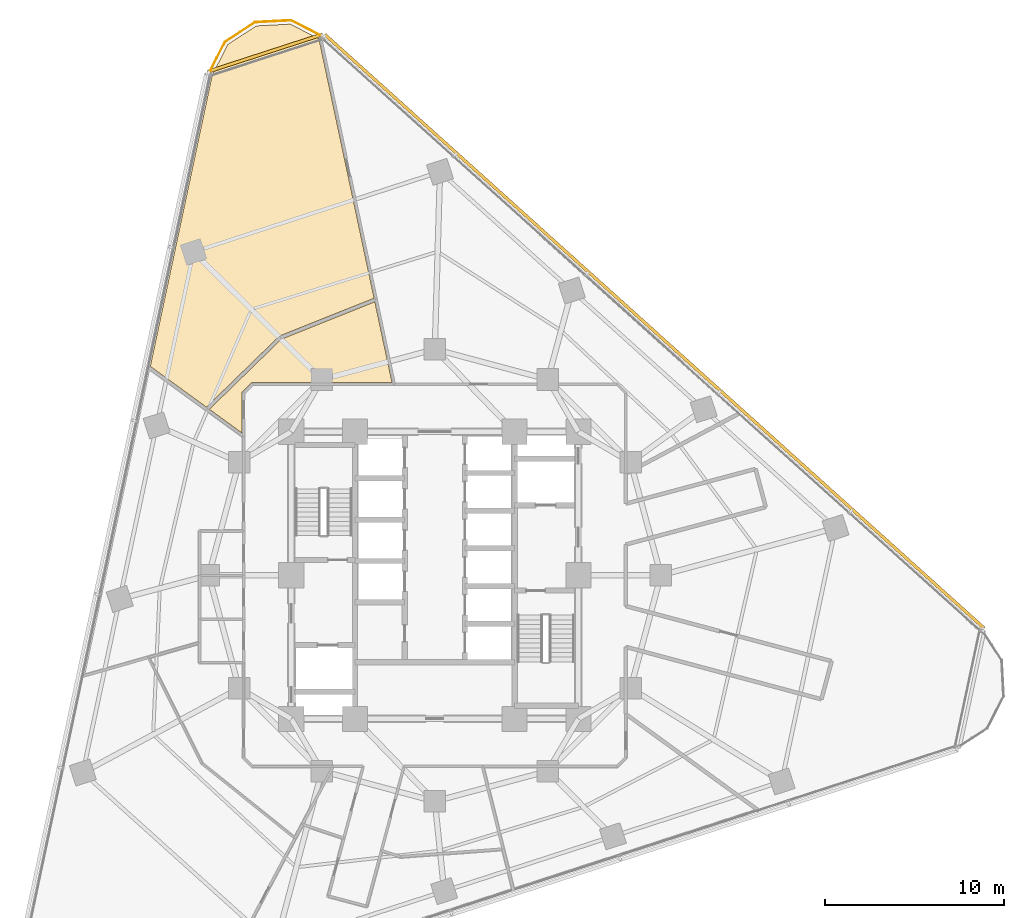
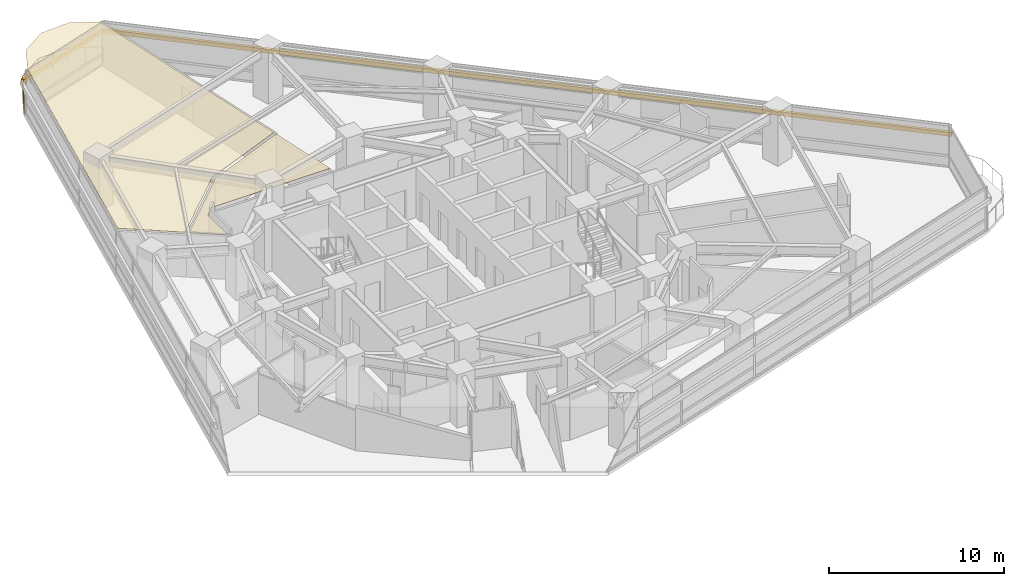
# One storey, part 13 of 13: 2 coverings, 2 shading devices, 1 railing.
"""IFC4 building model written with IfcOpenShell, lengths in metres."""

from ifc_helpers import new_model, si_unit, direction, frame, origin, origin_2d, place, context, subcontext, project, spatial, polyline, rectangle, circle, outline, extrude, material, layer, layer_set, type_object, element, save


model = new_model("IFC4")

# Units and contexts
model_context = context("Model", 3, precision=1e-05, world=origin(), true_north=direction((0.0, 1.0)))
body_context = subcontext(model_context, "Body", "Model", "MODEL_VIEW")
ifc_project = project(units=[si_unit("LENGTHUNIT", "METRE"), si_unit("AREAUNIT", "SQUARE_METRE"), si_unit("VOLUMEUNIT", "CUBIC_METRE"), si_unit("PLANEANGLEUNIT", "RADIAN"), si_unit("MASSUNIT", "GRAM", prefix="KILO")], contexts=[model_context])

# Site, building, storey
site_placement = place(None, origin())
site = spatial("IfcSite", under=ifc_project, at=site_placement, CompositionType="ELEMENT")
building_placement = place(site_placement, origin())
building = spatial("IfcBuilding", under=site, at=building_placement, Name="Terralouvre Media Tower", CompositionType="ELEMENT")
storey_placement = place(building_placement, frame((0.0, 0.0, 94.0)))
storey = spatial("IfcBuildingStorey", under=building, at=storey_placement, Name="L23", CompositionType="ELEMENT", Elevation=94.0)

# Coverings
ifc_material_1 = material(Name="Perforated aluminium acoustic ceiling baffle", Category="aluminium")
ifc_layer_1 = layer(ifc_material_1, 0.0400390625, Name="Perforated Acoustic Metal Tile Ceiling CL-AC1")
ifc_layer_set_1 = layer_set([ifc_layer_1], Name="Perforated aluminium acoustic ceiling baffle")
covering_type = type_object("IfcCoveringType", Name="Perforated Acoustic Metal Tile Ceiling CL-AC1", PredefinedType="CEILING", material=ifc_layer_set_1)
covering_1_placement = place(storey_placement, frame((0.0, 0.0, 2.97998046875), z_axis=(0.0, 0.0, 1.0), x_axis=(0.951056516295, 0.309016994375, 0.0)))
element("IfcCovering", 1, at=covering_1_placement, inside=storey, type_object=covering_type, Name="L23 Dolby Preview Screening Cinema 9 Acoustic Ceiling", PredefinedType="CEILING", context=body_context, shape_type="SweptSolid", body=[
    extrude(outline(polyline([(-9.211181640625, 12.84765625), (-4.13330078125, 15.351318359375), (-4.124267578125, 15.35498046875), (-4.114990234375, 15.358154296875), (-4.10546875, 15.360107421875), (-4.095703125, 15.361328125), (1.552978515625, 15.731689453125), (3.0986328125, 30.4345703125), (1.825927734375, 31.707275390625), (0.000244140625, 32.1962890625), (-1.826416015625, 31.70703125), (-3.1845703125, 30.3486328125), (-11.483154296875, 15.97509765625), (-9.211181640625, 12.84765625)])), origin(), (0.0, 0.0, 1.0), 0.0400390625),
])
covering_2_placement = place(storey_placement, frame((0.0, 0.0, 2.97998046875), z_axis=(0.0, 0.0, 1.0), x_axis=(0.951056516295, 0.309016994375, 0.0)))
element("IfcCovering", 2, at=covering_2_placement, inside=storey, type_object=covering_type, Name="L23 Client Cut Review Theatre 10 Acoustic Ceiling", PredefinedType="CEILING", context=body_context, shape_type="SweptSolid", body=[
    extrude(outline(polyline([(-4.062744140625, 15.1630859375), (-9.091796875, 12.68359375), (-7.77197265625, 10.867919921875), (-7.08740234375, 12.97509765625), (-7.083740234375, 12.984375), (-7.07958984375, 12.9931640625), (-7.07421875, 13.00146484375), (-7.068359375, 13.00927734375), (-7.0615234375, 13.016357421875), (-7.05419921875, 13.022705078125), (-7.046142578125, 13.0283203125), (-7.03759765625, 13.033447265625), (-6.407470703125, 13.354248046875), (-6.398681640625, 13.3583984375), (-6.389404296875, 13.361572265625), (-6.379638671875, 13.36376953125), (-6.3701171875, 13.364990234375), (-6.360107421875, 13.365234375), (-6.350341796875, 13.364501953125), (-6.3408203125, 13.363037109375), (-6.331298828125, 13.3603515625), (1.05126953125, 10.961669921875), (1.53173828125, 15.52978515625), (-4.062744140625, 15.1630859375)])), origin(), (0.0, 0.0, 1.0), 0.0400390625),
])

# Railing
ifc_material_2 = material(Name="Stainless steel 316 handrail and balustrade", Category="steel")
ifc_layer_2 = layer(ifc_material_2, 0.06005859375, Name="Roof Edge Safety Guardrail GR-ROOF1")
ifc_layer_set_2 = layer_set([ifc_layer_2], Name="Stainless steel 316 handrail and balustrade")
railing_type = type_object("IfcRailingType", Name="Roof Edge Safety Guardrail GR-ROOF1", PredefinedType="GUARDRAIL", material=ifc_layer_set_2)
railing_placement = place(storey_placement, frame((-6.221435546875, 30.015869140625, 0.0)))
element("IfcRailing", 3, at=railing_placement, inside=storey, type_object=railing_type, Name="L23 Wind-Corner Perimeter Safety Guardrail C2", PredefinedType="GUARDRAIL", context=body_context, shape_type="SweptSolid", body=[
    extrude(circle(Radius=0.02099609375, at=origin_2d()), frame((0.0, 0.0, 1.12890625), z_axis=(-0.890922546915, 0.454155276748, 0.0), x_axis=(-0.454155276748, -0.890922546915, 0.0)), (0.0, 0.0, 1.0), 2.0078125),
    extrude(circle(Radius=0.02099609375, at=origin_2d()), frame((-1.788818359375, 0.911865234375, 1.12890625), z_axis=(-0.998637914219, -0.052175820874, 0.0), x_axis=(0.052175820874, -0.998637914219, 0.0)), (0.0, 0.0, 1.0), 2.00732421875),
    extrude(circle(Radius=0.02099609375, at=origin_2d()), frame((-3.79345703125, 0.80712890625, 1.12890625), z_axis=(-0.838632501794, -0.544697647264, 0.0), x_axis=(0.544697647264, -0.838632501794, 0.0)), (0.0, 0.0, 1.0), 2.007568359375),
    extrude(circle(Radius=0.02099609375, at=origin_2d()), frame((-5.47705078125, -0.286376953125, 1.12890625), z_axis=(-0.453767310879, -0.891120209387, 0.0), x_axis=(0.891120209387, -0.453767310879, 0.0)), (0.0, 0.0, 1.0), 2.0078125),
    extrude(circle(Radius=0.01904296875, at=origin_2d()), origin(), (0.0, 0.0, 1.0), 1.10791015625),
    extrude(circle(Radius=0.01904296875, at=origin_2d()), frame((-0.89453125, 0.4560546875, 0.0)), (0.0, 0.0, 1.0), 1.10791015625),
    extrude(circle(Radius=0.01904296875, at=origin_2d()), frame((-1.788818359375, 0.911865234375, 0.0)), (0.0, 0.0, 1.0), 1.10791015625),
    extrude(circle(Radius=0.01904296875, at=origin_2d()), frame((-2.791015625, 0.859375, 0.0)), (0.0, 0.0, 1.0), 1.10791015625),
    extrude(circle(Radius=0.01904296875, at=origin_2d()), frame((-3.79345703125, 0.80712890625, 0.0)), (0.0, 0.0, 1.0), 1.10791015625),
    extrude(circle(Radius=0.01904296875, at=origin_2d()), frame((-4.63525390625, 0.26025390625, 0.0)), (0.0, 0.0, 1.0), 1.10791015625),
    extrude(circle(Radius=0.01904296875, at=origin_2d()), frame((-5.47705078125, -0.286376953125, 0.0)), (0.0, 0.0, 1.0), 1.10791015625),
    extrude(circle(Radius=0.01904296875, at=origin_2d()), frame((-5.9326171875, -1.18115234375, 0.0)), (0.0, 0.0, 1.0), 1.10791015625),
    extrude(circle(Radius=0.01904296875, at=origin_2d()), frame((-6.38818359375, -2.07568359375, 0.0)), (0.0, 0.0, 1.0), 1.10791015625),
])

# Shading devices
ifc_material_3 = material(Name="Extruded terracotta baguette sunshade louvres", Category="masonry")
shading_device_type = type_object("IfcShadingDeviceType", Name="Terracotta Baguette Sunshade Louvre Screen TB-LV1", PredefinedType="USERDEFINED", material=ifc_material_3)
shading_device_1_placement = place(storey_placement, frame((12.23974609375, 13.59375, 2.02392578125), z_axis=(0.0, 0.0, 1.0), x_axis=(-0.743144795545, 0.669130639602, 0.0)))
element("IfcShadingDevice", 4, at=shading_device_1_placement, inside=storey, type_object=shading_device_type, Name="CW-L23-F1 Terracotta Baguette Sunshade Louvre", ObjectType="BAGUETTE", PredefinedType="USERDEFINED", context=body_context, shape_type="SweptSolid", body=[
    extrude(rectangle(XDim=49.43994140625, YDim=0.179931640625, at=origin_2d()), origin(), (0.0, 0.0, 1.0), 0.280029296875),
])
shading_device_2_placement = place(storey_placement, frame((-9.457275390625, 29.106201171875, 2.02392578125), z_axis=(0.0, 0.0, 1.0), x_axis=(-0.951056286408, -0.309017701894, 0.0)))
element("IfcShadingDevice", 5, at=shading_device_2_placement, inside=storey, type_object=shading_device_type, Name="CW-L23-C2 Terracotta Baguette Sunshade Louvre", ObjectType="BAGUETTE", PredefinedType="USERDEFINED", context=body_context, shape_type="SweptSolid", body=[
    extrude(rectangle(XDim=6.720458984375, YDim=0.179931640625, at=origin_2d()), origin(), (0.0, 0.0, 1.0), 0.280029296875),
])

save(model, "model.ifc")
